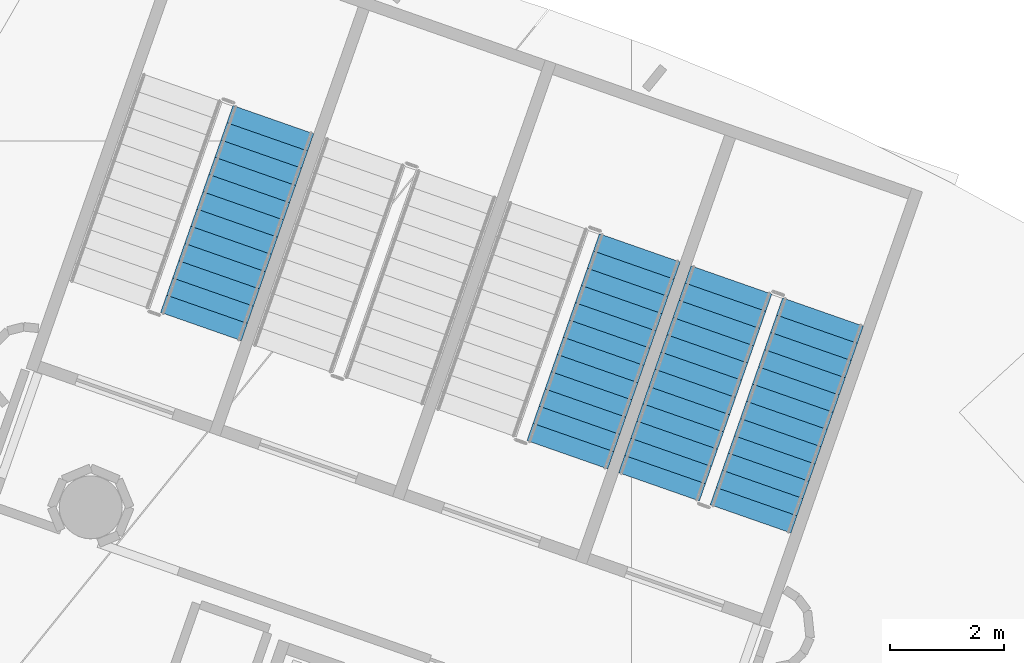
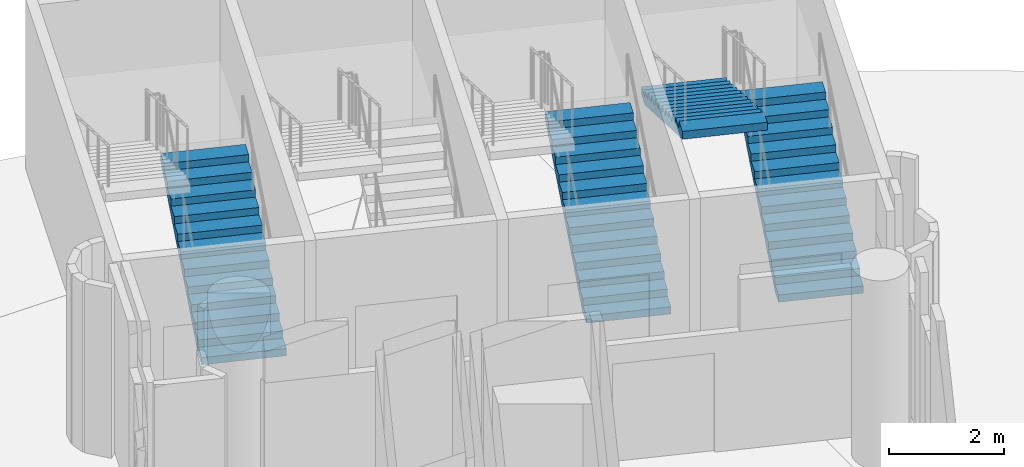
# One storey, part 108 of 142: 4 stair flights, 3 elements without a shape of their own.
"""IFC4 building model written with IfcOpenShell, lengths in metres."""

import ifcopenshell
import ifcopenshell.guid

model = None  # the IFC model being written
_history = None  # IfcOwnerHistory: only IFC2X3 demands one
_inside = {}  # id of a spatial element -> (the spatial element, [elements in it])
_under = {}  # id of a project, library or spatial element -> (it, [spatial elements below it])
_declared = {}  # id of a project -> (the project, [libraries it declares])
_typed = {}  # id of a type object -> (the type object, [elements of that type])
_made_of = {}  # id of a material, layer set ... -> (it, [elements and type objects made of it])


def new_model(schema):
    """Start an empty IFC model of exactly this schema.

    Asked for "IFC4X3", IfcOpenShell would pick the latest addendum, in which some entities
    have other attributes; the version numbers below select the first issue.
    IFC2X3 requires an IfcOwnerHistory on every rooted entity: one is made here for all.
    """
    global model, _history
    if schema == "IFC4X3":
        model = ifcopenshell.file(schema_version=(4, 3, 0, 0))
    else:
        model = ifcopenshell.file(schema=schema)
    _inside.clear()
    _under.clear()
    _declared.clear()
    _typed.clear()
    _made_of.clear()
    _history = None
    if model.schema == "IFC2X3":
        org = make("IfcOrganization", Name="unknown")
        user = make(
            "IfcPersonAndOrganization",
            ThePerson=make("IfcPerson", FamilyName="unknown"),
            TheOrganization=org,
        )
        app = make(
            "IfcApplication",
            ApplicationDeveloper=org,
            Version="unknown",
            ApplicationFullName="unknown",
            ApplicationIdentifier="unknown",
        )
        _history = make(
            "IfcOwnerHistory",
            OwningUser=user,
            OwningApplication=app,
            ChangeAction="ADDED",
            CreationDate=0,
        )
    return model


def make(cls, **values):
    """One entity of the class cls with the attributes given. An attribute that is None is left unset."""
    return model.create_entity(
        cls, **{name: value for name, value in values.items() if value is not None}
    )


def rooted(cls, **values):
    """An entity with a GlobalId (a new one), such as an element, a storey or a relation."""
    return make(cls, GlobalId=ifcopenshell.guid.new(), OwnerHistory=_history, **values)


def si_unit(unit_type, name, prefix=None):
    """IfcSIUnit, for example si_unit("LENGTHUNIT", "METRE", prefix="MILLI")."""
    return make("IfcSIUnit", UnitType=unit_type, Prefix=prefix, Name=name)


def assignment(units):
    """IfcUnitAssignment: the units of a project."""
    return None if units is None else make("IfcUnitAssignment", Units=units)


def point(xyz):
    """IfcCartesianPoint."""
    return None if xyz is None else make("IfcCartesianPoint", Coordinates=xyz)


def direction(xyz):
    """IfcDirection."""
    return None if xyz is None else make("IfcDirection", DirectionRatios=xyz)


def frame(location, z_axis=None, x_axis=None):
    """IfcAxis2Placement3D, a coordinate frame: its origin and axes. An axis left out is left unset."""
    return make(
        "IfcAxis2Placement3D",
        Location=point(location),
        Axis=direction(z_axis),
        RefDirection=direction(x_axis),
    )


def origin():
    """The frame at (0, 0, 0) with its axes left unset."""
    return frame((0.0, 0.0, 0.0))


def place(relative_to, where):
    """IfcLocalPlacement: puts the frame where relative to a parent placement (None: the world)."""
    return make(
        "IfcLocalPlacement", PlacementRelTo=relative_to, RelativePlacement=where
    )


def context(
    kind, dimensions, precision=None, world=None, true_north=None, identifier=None
):
    """IfcGeometricRepresentationContext, for example the 3D "Model" context."""
    return make(
        "IfcGeometricRepresentationContext",
        ContextIdentifier=identifier,
        ContextType=kind,
        CoordinateSpaceDimension=dimensions,
        Precision=precision,
        WorldCoordinateSystem=world,
        TrueNorth=true_north,
    )


def subcontext(parent, identifier, kind, view, scale=None):
    """IfcGeometricRepresentationSubContext, for example "Body" below "Model"."""
    return make(
        "IfcGeometricRepresentationSubContext",
        ContextIdentifier=identifier,
        ContextType=kind,
        ParentContext=parent,
        TargetScale=scale,
        TargetView=view,
    )


def project(units=None, contexts=None):
    """IfcProject with its units and contexts."""
    return rooted(
        "IfcProject",
        Name="project",
        RepresentationContexts=contexts,
        UnitsInContext=assignment(units),
    )


def spatial(cls, under=None, at=None, **own):
    """A site, building, storey or space (cls), placed at a placement, below another one or the project."""
    s = rooted(cls, ObjectPlacement=at, **own)
    if under is not None:
        _under.setdefault(under.id(), (under, []))[1].append(s)
    return s


def polyline(points):
    """IfcPolyline through the points."""
    return make("IfcPolyline", Points=[point(p) for p in points])


def outline(outer, holes=None, kind="AREA"):
    """IfcArbitraryClosedProfileDef: a profile drawn as a closed curve; with holes, ...WithVoids."""
    if holes is None:
        return make("IfcArbitraryClosedProfileDef", ProfileType=kind, OuterCurve=outer)
    return make(
        "IfcArbitraryProfileDefWithVoids",
        ProfileType=kind,
        OuterCurve=outer,
        InnerCurves=holes,
    )


def extrude(swept, where, along, depth):
    """IfcExtrudedAreaSolid: the profile swept, set in the frame where, extruded along a direction by depth."""
    return make(
        "IfcExtrudedAreaSolid",
        SweptArea=swept,
        Position=where,
        ExtrudedDirection=direction(along),
        Depth=depth,
    )


def shape(context_of_items, identifier, shape_type, items):
    """IfcShapeRepresentation: the items that make up one representation, for example the "Body"."""
    return make(
        "IfcShapeRepresentation",
        ContextOfItems=context_of_items,
        RepresentationIdentifier=identifier,
        RepresentationType=shape_type,
        Items=items,
    )


def material(Name=None, Category=None):
    """IfcMaterial."""
    return make("IfcMaterial", Name=Name, Category=Category)


def made_of(thing, what):
    """Note that an element or type object is made of a material, layer set ...; save() writes the relation."""
    if what is not None:
        _made_of.setdefault(what.id(), (what, []))[1].append(thing)
    return thing


def type_object(cls, material=None, **own):
    """A type object (cls), such as IfcWallType, which elements share."""
    return made_of(rooted(cls, **own), material)


def element(
    cls,
    number,
    at=None,
    inside=None,
    cuts=None,
    type_object=None,
    material=None,
    context=None,
    identifier="Body",
    shape_type=None,
    held_by="IfcProductDefinitionShape",
    body=None,
    shapes=None,
    **own,
):
    """One element of the class cls, such as IfcWall. Its Tag is "e" and its number.

    at: its placement. inside: the storey or other place that contains it. cuts: it is an
    opening in that element (IfcRelVoidsElement). A single representation is given by context,
    identifier, shape_type and body (its items); several are given by shapes. held_by: the class
    of the entity that holds the representations. save() writes the other relations.
    """
    e = rooted(cls, Tag="e%d" % number, ObjectPlacement=at, **own)
    if body is not None:
        shapes = [shape(context, identifier, shape_type, body)]
    if shapes is not None:
        e.Representation = make(held_by, Representations=shapes)
    if inside is not None:
        _inside.setdefault(inside.id(), (inside, []))[1].append(e)
    if cuts is not None:
        rooted(
            "IfcRelVoidsElement", RelatingBuildingElement=cuts, RelatedOpeningElement=e
        )
    if type_object is not None:
        _typed.setdefault(type_object.id(), (type_object, []))[1].append(e)
    return made_of(e, material)


def aggregate(whole, parts):
    """IfcRelAggregates: a whole, such as a stair, and the parts it consists of."""
    return rooted("IfcRelAggregates", RelatingObject=whole, RelatedObjects=parts)


def save(model, path):
    """Write the relations noted so far, then the file.

    IfcRelAggregates (storeys below a building ...), IfcRelContainedInSpatialStructure (elements
    in a storey), IfcRelDefinesByType, IfcRelAssociatesMaterial and IfcRelDeclares: one each for
    every whole, place, type object, material and project.
    """
    for whole, parts in _under.values():
        aggregate(whole, parts)
    for where, things in _inside.values():
        rooted(
            "IfcRelContainedInSpatialStructure",
            RelatedElements=things,
            RelatingStructure=where,
        )
    for kind, things in _typed.values():
        rooted("IfcRelDefinesByType", RelatedObjects=things, RelatingType=kind)
    for what, things in _made_of.values():
        rooted("IfcRelAssociatesMaterial", RelatedObjects=things, RelatingMaterial=what)
    for by, libraries in _declared.values():
        rooted("IfcRelDeclares", RelatingContext=by, RelatedDefinitions=libraries)
    model.write(path)


model = new_model("IFC4")

# Units and contexts
model_context = context("Model", 3, precision=1e-05, world=origin(), true_north=direction((0.0, 1.0)))
body_context = subcontext(model_context, "Body", "Model", "MODEL_VIEW")
ifc_project = project(units=[si_unit("LENGTHUNIT", "METRE"), si_unit("AREAUNIT", "SQUARE_METRE"), si_unit("VOLUMEUNIT", "CUBIC_METRE"), si_unit("PLANEANGLEUNIT", "RADIAN"), si_unit("MASSUNIT", "GRAM", prefix="KILO")], contexts=[model_context])

# Site, building, storey
site_placement = place(None, origin())
site = spatial("IfcSite", under=ifc_project, at=site_placement, CompositionType="ELEMENT")
building_placement = place(site_placement, origin())
building = spatial("IfcBuilding", under=site, at=building_placement, Name="Meseta Stadium", CompositionType="ELEMENT")
storey_placement = place(building_placement, frame((0.0, 0.0, -4.0)))
storey = spatial("IfcBuildingStorey", under=building, at=storey_placement, Name="B1", CompositionType="ELEMENT", Elevation=-4.0)

# Stair, stair flights
ifc_material_1 = material(Name="Concrete C40/50", Category="concrete")
stair_type = type_object("IfcStairType", Name="Exit stair 2 flights 154 mm risers", PredefinedType="HALF_TURN_STAIR", material=ifc_material_1)
stair_1_placement = place(storey_placement, origin())
stair_1 = element("IfcStair", 1, at=stair_1_placement, inside=storey, type_object=stair_type, Name="ST29 B1", PredefinedType="HALF_TURN_STAIR")
ifc_material_2 = material(Name="Concrete C40/50", Category="concrete")
stair_flight_type = type_object("IfcStairFlightType", Name="Exit stair flight 154 mm risers, 2 per storey", PredefinedType="STRAIGHT", material=ifc_material_2)
stair_flight_1_placement = place(storey_placement, frame((66.082275390625, 89.376953125, 0.0), z_axis=(0.0, 0.0, 1.0), x_axis=(0.330279057248, 0.943883331955, 0.0)))
stair_flight_1 = element("IfcStairFlight", 2, at=stair_flight_1_placement, type_object=stair_flight_type, Name="ST29 B1 flight 1", NumberOfRisers=13, NumberOfTreads=12, PredefinedType="STRAIGHT", RiserHeight=0.153846154, TreadLength=0.32, context=body_context, shape_type="SweptSolid", body=[
    extrude(outline(polyline([(0.0, 0.0), (0.0, 0.15380859375), (0.320068359375, 0.15380859375), (0.320068359375, 0.3076171875), (0.639892578125, 0.3076171875), (0.639892578125, 0.46142578125), (0.9599609375, 0.46142578125), (0.9599609375, 0.615478515625), (1.280029296875, 0.615478515625), (1.280029296875, 0.769287109375), (1.60009765625, 0.769287109375), (1.60009765625, 0.923095703125), (1.919921875, 0.923095703125), (1.919921875, 1.076904296875), (2.239990234375, 1.076904296875), (2.239990234375, 1.230712890625), (2.56005859375, 1.230712890625), (2.56005859375, 1.384521484375), (2.8798828125, 1.384521484375), (2.8798828125, 1.53857421875), (3.199951171875, 1.53857421875), (3.199951171875, 1.6923828125), (3.52001953125, 1.6923828125), (3.52001953125, 1.84619140625), (3.840087890625, 1.84619140625), (3.840087890625, 1.679931640625), (0.345947265625, 0.0), (0.0, 0.0)])), frame((0.0, 0.75, 0.0), z_axis=(0.0, -1.0, 0.0), x_axis=(1.0, 0.0, 0.0)), (0.0, 0.0, 1.0), 1.5),
])
stair_flight_2_placement = place(storey_placement, frame((65.74609375, 93.56298828125, 2.0), z_axis=(0.0, 0.0, 1.0), x_axis=(-0.330279057248, -0.943883331955, 0.0)))
stair_flight_2 = element("IfcStairFlight", 3, at=stair_flight_2_placement, type_object=stair_flight_type, Name="ST29 B1 flight 2", NumberOfRisers=13, NumberOfTreads=12, PredefinedType="STRAIGHT", RiserHeight=0.153846154, TreadLength=0.32, context=body_context, shape_type="SweptSolid", body=[
    extrude(outline(polyline([(0.0, 0.0), (0.0, 0.15380859375), (0.320068359375, 0.15380859375), (0.320068359375, 0.3076171875), (0.639892578125, 0.3076171875), (0.639892578125, 0.46142578125), (0.9599609375, 0.46142578125), (0.9599609375, 0.615478515625), (1.280029296875, 0.615478515625), (1.280029296875, 0.769287109375), (1.60009765625, 0.769287109375), (1.60009765625, 0.923095703125), (1.919921875, 0.923095703125), (1.919921875, 1.076904296875), (2.239990234375, 1.076904296875), (2.239990234375, 1.230712890625), (2.56005859375, 1.230712890625), (2.56005859375, 1.384521484375), (2.8798828125, 1.384521484375), (2.8798828125, 1.53857421875), (3.199951171875, 1.53857421875), (3.199951171875, 1.6923828125), (3.52001953125, 1.6923828125), (3.52001953125, 1.84619140625), (3.840087890625, 1.84619140625), (3.840087890625, 1.679931640625), (0.345947265625, 0.0), (0.0, 0.0)])), frame((0.0, 0.75, 0.0), z_axis=(0.0, -1.0, 0.0), x_axis=(1.0, 0.0, 0.0)), (0.0, 0.0, 1.0), 1.5),
])
aggregate(stair_1, [stair_flight_1, stair_flight_2])

# Stair, stair flight
stair_2_placement = place(storey_placement, origin())
stair_2 = element("IfcStair", 4, at=stair_2_placement, inside=storey, type_object=stair_type, Name="ST30 B1", PredefinedType="HALF_TURN_STAIR")
stair_flight_3_placement = place(storey_placement, frame((62.873046875, 90.5, 0.0), z_axis=(0.0, 0.0, 1.0), x_axis=(0.330279057248, 0.943883331955, 0.0)))
stair_flight_3 = element("IfcStairFlight", 5, at=stair_flight_3_placement, type_object=stair_flight_type, Name="ST30 B1 flight 1", NumberOfRisers=13, NumberOfTreads=12, PredefinedType="STRAIGHT", RiserHeight=0.153846154, TreadLength=0.32, context=body_context, shape_type="SweptSolid", body=[
    extrude(outline(polyline([(0.0, 0.0), (0.0, 0.15380859375), (0.320068359375, 0.15380859375), (0.320068359375, 0.3076171875), (0.639892578125, 0.3076171875), (0.639892578125, 0.46142578125), (0.9599609375, 0.46142578125), (0.9599609375, 0.615478515625), (1.280029296875, 0.615478515625), (1.280029296875, 0.769287109375), (1.60009765625, 0.769287109375), (1.60009765625, 0.923095703125), (1.919921875, 0.923095703125), (1.919921875, 1.076904296875), (2.239990234375, 1.076904296875), (2.239990234375, 1.230712890625), (2.56005859375, 1.230712890625), (2.56005859375, 1.384521484375), (2.8798828125, 1.384521484375), (2.8798828125, 1.53857421875), (3.199951171875, 1.53857421875), (3.199951171875, 1.6923828125), (3.52001953125, 1.6923828125), (3.52001953125, 1.84619140625), (3.840087890625, 1.84619140625), (3.840087890625, 1.679931640625), (0.345947265625, 0.0), (0.0, 0.0)])), frame((0.0, 0.75, 0.0), z_axis=(0.0, -1.0, 0.0), x_axis=(1.0, 0.0, 0.0)), (0.0, 0.0, 1.0), 1.5),
])
aggregate(stair_2, [stair_flight_3])

stair_3_placement = place(storey_placement, origin())
stair_3 = element("IfcStair", 6, at=stair_3_placement, inside=storey, type_object=stair_type, Name="ST32 B1", PredefinedType="HALF_TURN_STAIR")
stair_flight_4_placement = place(storey_placement, frame((56.454833984375, 92.745849609375, 0.0), z_axis=(0.0, 0.0, 1.0), x_axis=(0.330279057248, 0.943883331955, 0.0)))
stair_flight_4 = element("IfcStairFlight", 7, at=stair_flight_4_placement, type_object=stair_flight_type, Name="ST32 B1 flight 1", NumberOfRisers=13, NumberOfTreads=12, PredefinedType="STRAIGHT", RiserHeight=0.153846154, TreadLength=0.32, context=body_context, shape_type="SweptSolid", body=[
    extrude(outline(polyline([(0.0, 0.0), (0.0, 0.15380859375), (0.320068359375, 0.15380859375), (0.320068359375, 0.3076171875), (0.639892578125, 0.3076171875), (0.639892578125, 0.46142578125), (0.9599609375, 0.46142578125), (0.9599609375, 0.615478515625), (1.280029296875, 0.615478515625), (1.280029296875, 0.769287109375), (1.60009765625, 0.769287109375), (1.60009765625, 0.923095703125), (1.919921875, 0.923095703125), (1.919921875, 1.076904296875), (2.239990234375, 1.076904296875), (2.239990234375, 1.230712890625), (2.56005859375, 1.230712890625), (2.56005859375, 1.384521484375), (2.8798828125, 1.384521484375), (2.8798828125, 1.53857421875), (3.199951171875, 1.53857421875), (3.199951171875, 1.6923828125), (3.52001953125, 1.6923828125), (3.52001953125, 1.84619140625), (3.840087890625, 1.84619140625), (3.840087890625, 1.679931640625), (0.345947265625, 0.0), (0.0, 0.0)])), frame((0.0, 0.75, 0.0), z_axis=(0.0, -1.0, 0.0), x_axis=(1.0, 0.0, 0.0)), (0.0, 0.0, 1.0), 1.5),
])
aggregate(stair_3, [stair_flight_4])

save(model, "model.ifc")
